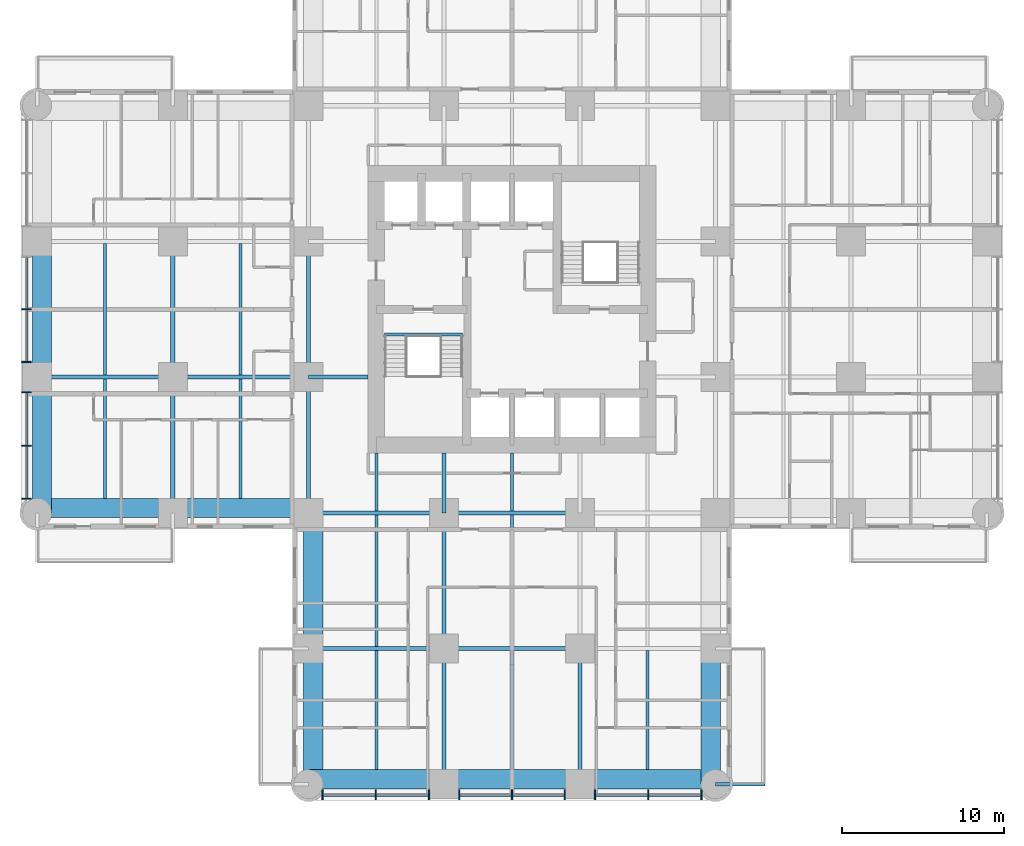
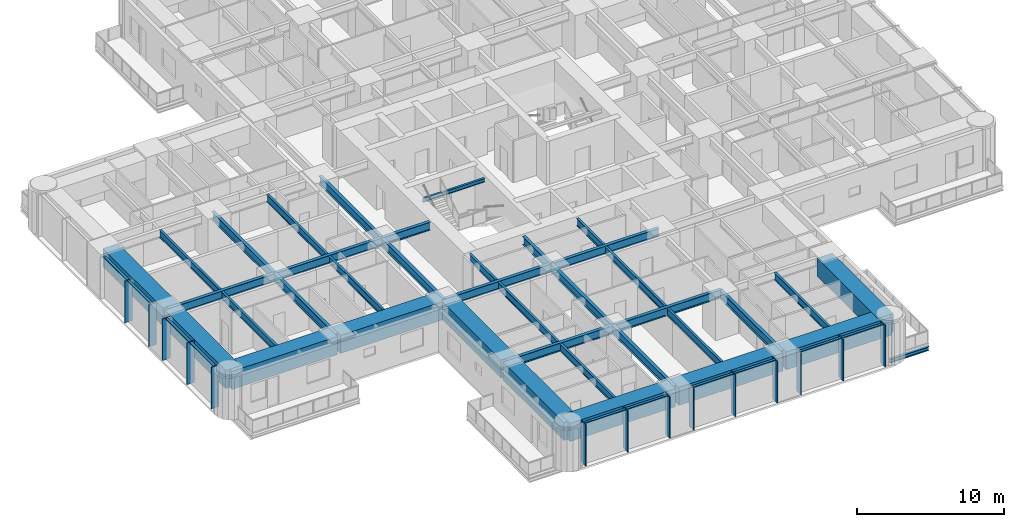
# One storey, part 2 of 17: 38 beams, 24 members, 2 elements without a shape of their own.
"""IFC4 building model written with IfcOpenShell, lengths in metres."""

from ifc_helpers import new_model, si_unit, direction, frame, origin, origin_2d, place, context, subcontext, project, spatial, rectangle, i_section, extrude, material, material_profile, profile_set, type_object, element, aggregate, save


model = new_model("IFC4")

# Units and contexts
model_context = context("Model", 3, precision=1e-05, world=origin(), true_north=direction((0.0, 1.0)))
body_context = subcontext(model_context, "Body", "Model", "MODEL_VIEW")
ifc_project = project(units=[si_unit("LENGTHUNIT", "METRE"), si_unit("AREAUNIT", "SQUARE_METRE"), si_unit("VOLUMEUNIT", "CUBIC_METRE"), si_unit("PLANEANGLEUNIT", "RADIAN"), si_unit("MASSUNIT", "GRAM", prefix="KILO")], contexts=[model_context])

# Site, building, storey
site_placement = place(None, origin())
site = spatial("IfcSite", under=ifc_project, at=site_placement, CompositionType="ELEMENT")
building_placement = place(site_placement, origin())
building = spatial("IfcBuilding", under=site, at=building_placement, Name="Torre Alcanfor", CompositionType="ELEMENT")
storey_placement = place(building_placement, frame((0.0, 0.0, 74.10009765625)))
storey = spatial("IfcBuildingStorey", under=building, at=storey_placement, Name="L18", CompositionType="ELEMENT", Elevation=74.10009765625)

# Beam
ifc_material_1 = material(Name="Steel ASTM A992 Grade 50", Category="steel")
ifc_material_profile_1 = material_profile(ifc_material_1, i_section(OverallWidth=0.205322265625, OverallDepth=0.309814453125, WebThickness=0.00927734375, FlangeThickness=0.016357421875, at=origin_2d()), Name="W12x50")
ifc_profile_set_1 = profile_set([ifc_material_profile_1], Name="Steel ASTM A992 Grade 50")
beam_type_1 = type_object("IfcBeamType", Name="Balcony cantilever beam W12x50", PredefinedType="BEAM", material=ifc_profile_set_1)
beam_1_placement = place(storey_placement, frame((42.0, 0.0, -0.35498046875), z_axis=(1.0, 0.0, 0.0), x_axis=(0.0, 1.0, 0.0)))
element("IfcBeam", 1, at=beam_1_placement, inside=storey, type_object=beam_type_1, Name="Balcony cantilever beam L18-S1 2", PredefinedType="BEAM", context=body_context, shape_type="SweptSolid", body=[
    extrude(i_section(OverallWidth=0.205322265625, OverallDepth=0.309814453125, WebThickness=0.00927734375, FlangeThickness=0.016357421875, at=origin_2d()), origin(), (0.0, 0.0, 1.0), 3.050048828125),
])

# Curtain wall, members
ifc_material_2 = material(Name="Aluminium and glass", Category="aluminium")
curtain_wall_type = type_object("IfcCurtainWallType", Name="CW-A unitised apartment glazing with vertical FIN", PredefinedType="NOTDEFINED", material=ifc_material_2)
curtain_wall_1_placement = place(storey_placement, origin())
curtain_wall_1 = element("IfcCurtainWall", 2, at=curtain_wall_1_placement, inside=storey, type_object=curtain_wall_type, Name="Curtain wall CW-A L18 2", PredefinedType="NOTDEFINED")
ifc_material_3 = material(Name="Bronze anodised aluminium", Category="aluminium")
ifc_material_profile_2 = material_profile(ifc_material_3, rectangle(XDim=0.60009765625, YDim=0.06494140625, at=origin_2d()), Name="CW-A mullion 65x600")
ifc_profile_set_2 = profile_set([ifc_material_profile_2], Name="Bronze anodised aluminium")
member_type_1 = type_object("IfcMemberType", Name="CW-A mullion with vertical FIN 65x600", PredefinedType="MULLION", material=ifc_profile_set_2)
member_1_placement = place(storey_placement, frame((-0.64990234375, 29.39990234375, 0.0), z_axis=(0.0, 0.0, 1.0), x_axis=(1.0, 0.0, 0.0)))
member_1 = element("IfcMember", 3, at=member_1_placement, type_object=member_type_1, Name="CW-A mullion 2.2", PredefinedType="MULLION", context=body_context, shape_type="SweptSolid", body=[
    extrude(rectangle(XDim=0.60009765625, YDim=0.06494140625, at=origin_2d()), origin(), (0.0, 0.0, 1.0), 3.449951171875),
])
member_2_placement = place(storey_placement, frame((-0.64990234375, 26.137451171875, 0.0), z_axis=(0.0, 0.0, 1.0), x_axis=(1.0, 0.0, 0.0)))
member_2 = element("IfcMember", 4, at=member_2_placement, type_object=member_type_1, Name="CW-A mullion 2.3", PredefinedType="MULLION", context=body_context, shape_type="SweptSolid", body=[
    extrude(rectangle(XDim=0.60009765625, YDim=0.06494140625, at=origin_2d()), origin(), (0.0, 0.0, 1.0), 3.449951171875),
])
member_3_placement = place(storey_placement, frame((-0.64990234375, 24.262451171875, 0.0), z_axis=(0.0, 0.0, 1.0), x_axis=(1.0, 0.0, 0.0)))
member_3 = element("IfcMember", 5, at=member_3_placement, type_object=member_type_1, Name="CW-A mullion 3.1", PredefinedType="MULLION", context=body_context, shape_type="SweptSolid", body=[
    extrude(rectangle(XDim=0.60009765625, YDim=0.06494140625, at=origin_2d()), origin(), (0.0, 0.0, 1.0), 3.449951171875),
])
member_4_placement = place(storey_placement, frame((-0.64990234375, 20.96484375, 0.0), z_axis=(0.0, 0.0, 1.0), x_axis=(1.0, 0.0, 0.0)))
member_4 = element("IfcMember", 6, at=member_4_placement, type_object=member_type_1, Name="CW-A mullion 3.2", PredefinedType="MULLION", context=body_context, shape_type="SweptSolid", body=[
    extrude(rectangle(XDim=0.60009765625, YDim=0.06494140625, at=origin_2d()), origin(), (0.0, 0.0, 1.0), 3.449951171875),
])
member_5_placement = place(storey_placement, frame((-0.64990234375, 17.6669921875, 0.0), z_axis=(0.0, 0.0, 1.0), x_axis=(1.0, 0.0, 0.0)))
member_5 = element("IfcMember", 7, at=member_5_placement, type_object=member_type_1, Name="CW-A mullion 3.3", PredefinedType="MULLION", context=body_context, shape_type="SweptSolid", body=[
    extrude(rectangle(XDim=0.60009765625, YDim=0.06494140625, at=origin_2d()), origin(), (0.0, 0.0, 1.0), 3.449951171875),
])

curtain_wall_2_placement = place(storey_placement, origin())
curtain_wall_2 = element("IfcCurtainWall", 8, at=curtain_wall_2_placement, inside=storey, type_object=curtain_wall_type, Name="Curtain wall CW-A L18 5", PredefinedType="NOTDEFINED")
member_6_placement = place(storey_placement, frame((17.6669921875, -0.64990234375, 0.0), z_axis=(0.0, 0.0, 1.0), x_axis=(0.0, 1.0, 0.0)))
member_6 = element("IfcMember", 9, at=member_6_placement, type_object=member_type_1, Name="CW-A mullion 1.1", PredefinedType="MULLION", context=body_context, shape_type="SweptSolid", body=[
    extrude(rectangle(XDim=0.60009765625, YDim=0.06494140625, at=origin_2d()), origin(), (0.0, 0.0, 1.0), 3.449951171875),
])
member_7_placement = place(storey_placement, frame((20.96484375, -0.64990234375, 0.0), z_axis=(0.0, 0.0, 1.0), x_axis=(0.0, 1.0, 0.0)))
member_7 = element("IfcMember", 10, at=member_7_placement, type_object=member_type_1, Name="CW-A mullion 1.2", PredefinedType="MULLION", context=body_context, shape_type="SweptSolid", body=[
    extrude(rectangle(XDim=0.60009765625, YDim=0.06494140625, at=origin_2d()), origin(), (0.0, 0.0, 1.0), 3.449951171875),
])
member_8_placement = place(storey_placement, frame((24.262451171875, -0.64990234375, 0.0), z_axis=(0.0, 0.0, 1.0), x_axis=(0.0, 1.0, 0.0)))
member_8 = element("IfcMember", 11, at=member_8_placement, type_object=member_type_1, Name="CW-A mullion 1.3", PredefinedType="MULLION", context=body_context, shape_type="SweptSolid", body=[
    extrude(rectangle(XDim=0.60009765625, YDim=0.06494140625, at=origin_2d()), origin(), (0.0, 0.0, 1.0), 3.449951171875),
])
member_9_placement = place(storey_placement, frame((26.137451171875, -0.64990234375, 0.0), z_axis=(0.0, 0.0, 1.0), x_axis=(0.0, 1.0, 0.0)))
member_9 = element("IfcMember", 12, at=member_9_placement, type_object=member_type_1, Name="CW-A mullion 2.1", PredefinedType="MULLION", context=body_context, shape_type="SweptSolid", body=[
    extrude(rectangle(XDim=0.60009765625, YDim=0.06494140625, at=origin_2d()), origin(), (0.0, 0.0, 1.0), 3.449951171875),
])
member_10_placement = place(storey_placement, frame((29.39990234375, -0.64990234375, 0.0), z_axis=(0.0, 0.0, 1.0), x_axis=(0.0, 1.0, 0.0)))
member_10 = element("IfcMember", 13, at=member_10_placement, type_object=member_type_1, Name="CW-A mullion 2.2", PredefinedType="MULLION", context=body_context, shape_type="SweptSolid", body=[
    extrude(rectangle(XDim=0.60009765625, YDim=0.06494140625, at=origin_2d()), origin(), (0.0, 0.0, 1.0), 3.449951171875),
])
member_11_placement = place(storey_placement, frame((32.66259765625, -0.64990234375, 0.0), z_axis=(0.0, 0.0, 1.0), x_axis=(0.0, 1.0, 0.0)))
member_11 = element("IfcMember", 14, at=member_11_placement, type_object=member_type_1, Name="CW-A mullion 2.3", PredefinedType="MULLION", context=body_context, shape_type="SweptSolid", body=[
    extrude(rectangle(XDim=0.60009765625, YDim=0.06494140625, at=origin_2d()), origin(), (0.0, 0.0, 1.0), 3.449951171875),
])
member_12_placement = place(storey_placement, frame((34.53759765625, -0.64990234375, 0.0), z_axis=(0.0, 0.0, 1.0), x_axis=(0.0, 1.0, 0.0)))
member_12 = element("IfcMember", 15, at=member_12_placement, type_object=member_type_1, Name="CW-A mullion 3.1", PredefinedType="MULLION", context=body_context, shape_type="SweptSolid", body=[
    extrude(rectangle(XDim=0.60009765625, YDim=0.06494140625, at=origin_2d()), origin(), (0.0, 0.0, 1.0), 3.449951171875),
])
member_13_placement = place(storey_placement, frame((37.835205078125, -0.64990234375, 0.0), z_axis=(0.0, 0.0, 1.0), x_axis=(0.0, 1.0, 0.0)))
member_13 = element("IfcMember", 16, at=member_13_placement, type_object=member_type_1, Name="CW-A mullion 3.2", PredefinedType="MULLION", context=body_context, shape_type="SweptSolid", body=[
    extrude(rectangle(XDim=0.60009765625, YDim=0.06494140625, at=origin_2d()), origin(), (0.0, 0.0, 1.0), 3.449951171875),
])
member_14_placement = place(storey_placement, frame((41.133056640625, -0.64990234375, 0.0), z_axis=(0.0, 0.0, 1.0), x_axis=(0.0, 1.0, 0.0)))
member_14 = element("IfcMember", 17, at=member_14_placement, type_object=member_type_1, Name="CW-A mullion 3.3", PredefinedType="MULLION", context=body_context, shape_type="SweptSolid", body=[
    extrude(rectangle(XDim=0.60009765625, YDim=0.06494140625, at=origin_2d()), origin(), (0.0, 0.0, 1.0), 3.449951171875),
])

# Member
ifc_material_4 = material(Name="Extruded aluminium", Category="aluminium")
ifc_material_profile_3 = material_profile(ifc_material_4, rectangle(XDim=0.199951171875, YDim=0.06494140625, at=origin_2d()), Name="CW-A transom 200x65")
ifc_profile_set_3 = profile_set([ifc_material_profile_3], Name="Extruded aluminium")
member_type_2 = type_object("IfcMemberType", Name="CW-A transom 65x200", PredefinedType="USERDEFINED", material=ifc_profile_set_3)
member_15_placement = place(storey_placement, frame((-0.64990234375, 32.6298828125, 3.41748046875), z_axis=(0.0, -1.0, 0.0), x_axis=(1.0, 0.0, 0.0)))
member_15 = element("IfcMember", 18, at=member_15_placement, type_object=member_type_2, Name="CW-A transom 2.1.2", ObjectType="TRANSOM", PredefinedType="USERDEFINED", context=body_context, shape_type="SweptSolid", body=[
    extrude(rectangle(XDim=0.199951171875, YDim=0.06494140625, at=origin_2d()), origin(), (0.0, 0.0, 1.0), 3.197265625),
])

member_16_placement = place(storey_placement, frame((-0.64990234375, 29.367431640625, 3.41748046875), z_axis=(0.0, -1.0, 0.0), x_axis=(1.0, 0.0, 0.0)))
member_16 = element("IfcMember", 19, at=member_16_placement, type_object=member_type_2, Name="CW-A transom 2.2.2", ObjectType="TRANSOM", PredefinedType="USERDEFINED", context=body_context, shape_type="SweptSolid", body=[
    extrude(rectangle(XDim=0.199951171875, YDim=0.06494140625, at=origin_2d()), origin(), (0.0, 0.0, 1.0), 3.197509765625),
])

member_17_placement = place(storey_placement, frame((-0.64990234375, 24.22998046875, 3.41748046875), z_axis=(0.0, -1.0, 0.0), x_axis=(1.0, 0.0, 0.0)))
member_17 = element("IfcMember", 20, at=member_17_placement, type_object=member_type_2, Name="CW-A transom 3.1.2", ObjectType="TRANSOM", PredefinedType="USERDEFINED", context=body_context, shape_type="SweptSolid", body=[
    extrude(rectangle(XDim=0.199951171875, YDim=0.06494140625, at=origin_2d()), origin(), (0.0, 0.0, 1.0), 3.232666015625),
])

member_18_placement = place(storey_placement, frame((-0.64990234375, 20.93212890625, 3.41748046875), z_axis=(0.0, -1.0, 0.0), x_axis=(1.0, 0.0, 0.0)))
member_18 = element("IfcMember", 21, at=member_18_placement, type_object=member_type_2, Name="CW-A transom 3.2.2", ObjectType="TRANSOM", PredefinedType="USERDEFINED", context=body_context, shape_type="SweptSolid", body=[
    extrude(rectangle(XDim=0.199951171875, YDim=0.06494140625, at=origin_2d()), origin(), (0.0, 0.0, 1.0), 3.232666015625),
])

aggregate(curtain_wall_1, [member_1, member_2, member_15, member_16, member_3, member_4, member_5, member_17, member_18])

member_19_placement = place(storey_placement, frame((17.699462890625, -0.64990234375, 3.41748046875), z_axis=(1.0, 0.0, 0.0), x_axis=(0.0, 1.0, 0.0)))
member_19 = element("IfcMember", 22, at=member_19_placement, type_object=member_type_2, Name="CW-A transom 1.1.2", ObjectType="TRANSOM", PredefinedType="USERDEFINED", context=body_context, shape_type="SweptSolid", body=[
    extrude(rectangle(XDim=0.199951171875, YDim=0.06494140625, at=origin_2d()), origin(), (0.0, 0.0, 1.0), 3.232666015625),
])

member_20_placement = place(storey_placement, frame((20.997314453125, -0.64990234375, 3.41748046875), z_axis=(1.0, 0.0, 0.0), x_axis=(0.0, 1.0, 0.0)))
member_20 = element("IfcMember", 23, at=member_20_placement, type_object=member_type_2, Name="CW-A transom 1.2.2", ObjectType="TRANSOM", PredefinedType="USERDEFINED", context=body_context, shape_type="SweptSolid", body=[
    extrude(rectangle(XDim=0.199951171875, YDim=0.06494140625, at=origin_2d()), origin(), (0.0, 0.0, 1.0), 3.232666015625),
])

member_21_placement = place(storey_placement, frame((26.169921875, -0.64990234375, 3.41748046875), z_axis=(1.0, 0.0, 0.0), x_axis=(0.0, 1.0, 0.0)))
member_21 = element("IfcMember", 24, at=member_21_placement, type_object=member_type_2, Name="CW-A transom 2.1.2", ObjectType="TRANSOM", PredefinedType="USERDEFINED", context=body_context, shape_type="SweptSolid", body=[
    extrude(rectangle(XDim=0.199951171875, YDim=0.06494140625, at=origin_2d()), origin(), (0.0, 0.0, 1.0), 3.197509765625),
])

member_22_placement = place(storey_placement, frame((29.4326171875, -0.64990234375, 3.41748046875), z_axis=(1.0, 0.0, 0.0), x_axis=(0.0, 1.0, 0.0)))
member_22 = element("IfcMember", 25, at=member_22_placement, type_object=member_type_2, Name="CW-A transom 2.2.2", ObjectType="TRANSOM", PredefinedType="USERDEFINED", context=body_context, shape_type="SweptSolid", body=[
    extrude(rectangle(XDim=0.199951171875, YDim=0.06494140625, at=origin_2d()), origin(), (0.0, 0.0, 1.0), 3.197265625),
])

member_23_placement = place(storey_placement, frame((34.570068359375, -0.64990234375, 3.41748046875), z_axis=(1.0, 0.0, 0.0), x_axis=(0.0, 1.0, 0.0)))
member_23 = element("IfcMember", 26, at=member_23_placement, type_object=member_type_2, Name="CW-A transom 3.1.2", ObjectType="TRANSOM", PredefinedType="USERDEFINED", context=body_context, shape_type="SweptSolid", body=[
    extrude(rectangle(XDim=0.199951171875, YDim=0.06494140625, at=origin_2d()), origin(), (0.0, 0.0, 1.0), 3.232666015625),
])

member_24_placement = place(storey_placement, frame((37.86767578125, -0.64990234375, 3.41748046875), z_axis=(1.0, 0.0, 0.0), x_axis=(0.0, 1.0, 0.0)))
member_24 = element("IfcMember", 27, at=member_24_placement, type_object=member_type_2, Name="CW-A transom 3.2.2", ObjectType="TRANSOM", PredefinedType="USERDEFINED", context=body_context, shape_type="SweptSolid", body=[
    extrude(rectangle(XDim=0.199951171875, YDim=0.06494140625, at=origin_2d()), origin(), (0.0, 0.0, 1.0), 3.23291015625),
])

aggregate(curtain_wall_2, [member_6, member_7, member_8, member_19, member_20, member_9, member_10, member_11, member_21, member_22, member_12, member_13, member_14, member_23, member_24])

# Beams
ifc_material_5 = material(Name="Steel ASTM A992 Grade 50", Category="steel")
ifc_material_profile_4 = material_profile(ifc_material_5, i_section(OverallWidth=0.25390625, OverallDepth=0.683349609375, WebThickness=0.012451171875, FlangeThickness=0.01904296875, at=origin_2d()), Name="W27x94")
ifc_profile_set_4 = profile_set([ifc_material_profile_4], Name="Steel ASTM A992 Grade 50")
beam_type_2 = type_object("IfcBeamType", Name="Girder W27x94", PredefinedType="BEAM", material=ifc_profile_set_4)
beam_2_placement = place(storey_placement, frame((16.800048828125, 8.39990234375, 3.108154296875), z_axis=(1.0, 0.0, 0.0), x_axis=(0.0, 1.0, 0.0)))
element("IfcBeam", 28, at=beam_2_placement, inside=storey, type_object=beam_type_2, Name="Beam 3D-4D under L19", PredefinedType="BEAM", context=body_context, shape_type="SweptSolid", body=[
    extrude(i_section(OverallWidth=0.25390625, OverallDepth=0.683349609375, WebThickness=0.012451171875, FlangeThickness=0.01904296875, at=origin_2d()), origin(), (0.0, 0.0, 1.0), 8.39990234375),
])
beam_3_placement = place(storey_placement, frame((25.199951171875, 8.39990234375, 3.108154296875), z_axis=(1.0, 0.0, 0.0), x_axis=(0.0, 1.0, 0.0)))
element("IfcBeam", 29, at=beam_3_placement, inside=storey, type_object=beam_type_2, Name="Beam 4D-5D under L19", PredefinedType="BEAM", context=body_context, shape_type="SweptSolid", body=[
    extrude(i_section(OverallWidth=0.25390625, OverallDepth=0.683349609375, WebThickness=0.012451171875, FlangeThickness=0.01904296875, at=origin_2d()), origin(), (0.0, 0.0, 1.0), 8.400146484375),
])
beam_4_placement = place(storey_placement, frame((16.800048828125, 16.800048828125, 3.108154296875), z_axis=(1.0, 0.0, 0.0), x_axis=(0.0, 1.0, 0.0)))
element("IfcBeam", 30, at=beam_4_placement, inside=storey, type_object=beam_type_2, Name="Beam 3E-4E under L19", PredefinedType="BEAM", context=body_context, shape_type="SweptSolid", body=[
    extrude(i_section(OverallWidth=0.25390625, OverallDepth=0.683349609375, WebThickness=0.012451171875, FlangeThickness=0.01904296875, at=origin_2d()), origin(), (0.0, 0.0, 1.0), 8.39990234375),
])
beam_5_placement = place(storey_placement, frame((25.199951171875, 16.800048828125, 3.108154296875), z_axis=(1.0, 0.0, 0.0), x_axis=(0.0, 1.0, 0.0)))
element("IfcBeam", 31, at=beam_5_placement, inside=storey, type_object=beam_type_2, Name="Beam 4E-5E under L19", PredefinedType="BEAM", context=body_context, shape_type="SweptSolid", body=[
    extrude(i_section(OverallWidth=0.25390625, OverallDepth=0.683349609375, WebThickness=0.012451171875, FlangeThickness=0.01904296875, at=origin_2d()), origin(), (0.0, 0.0, 1.0), 8.400146484375),
])
beam_6_placement = place(storey_placement, frame((0.0, 25.199951171875, 3.108154296875), z_axis=(1.0, 0.0, 0.0), x_axis=(0.0, 1.0, 0.0)))
element("IfcBeam", 32, at=beam_6_placement, inside=storey, type_object=beam_type_2, Name="Beam 1F-2F under L19", PredefinedType="BEAM", context=body_context, shape_type="SweptSolid", body=[
    extrude(i_section(OverallWidth=0.25390625, OverallDepth=0.683349609375, WebThickness=0.012451171875, FlangeThickness=0.01904296875, at=origin_2d()), origin(), (0.0, 0.0, 1.0), 8.39990234375),
])
beam_7_placement = place(storey_placement, frame((8.39990234375, 25.199951171875, 3.108154296875), z_axis=(1.0, 0.0, 0.0), x_axis=(0.0, 1.0, 0.0)))
element("IfcBeam", 33, at=beam_7_placement, inside=storey, type_object=beam_type_2, Name="Beam 2F-3F under L19", PredefinedType="BEAM", context=body_context, shape_type="SweptSolid", body=[
    extrude(i_section(OverallWidth=0.25390625, OverallDepth=0.683349609375, WebThickness=0.012451171875, FlangeThickness=0.01904296875, at=origin_2d()), origin(), (0.0, 0.0, 1.0), 8.400146484375),
])
beam_8_placement = place(storey_placement, frame((8.39990234375, 16.800048828125, 3.108154296875), z_axis=(0.0, 1.0, 0.0), x_axis=(-1.0, 0.0, 0.0)))
element("IfcBeam", 34, at=beam_8_placement, inside=storey, type_object=beam_type_2, Name="Beam 2E-2F under L19", PredefinedType="BEAM", context=body_context, shape_type="SweptSolid", body=[
    extrude(i_section(OverallWidth=0.25390625, OverallDepth=0.683349609375, WebThickness=0.012451171875, FlangeThickness=0.01904296875, at=origin_2d()), origin(), (0.0, 0.0, 1.0), 8.39990234375),
])
beam_9_placement = place(storey_placement, frame((8.39990234375, 25.199951171875, 3.108154296875), z_axis=(0.0, 1.0, 0.0), x_axis=(-1.0, 0.0, 0.0)))
element("IfcBeam", 35, at=beam_9_placement, inside=storey, type_object=beam_type_2, Name="Beam 2F-2G under L19", PredefinedType="BEAM", context=body_context, shape_type="SweptSolid", body=[
    extrude(i_section(OverallWidth=0.25390625, OverallDepth=0.683349609375, WebThickness=0.012451171875, FlangeThickness=0.01904296875, at=origin_2d()), origin(), (0.0, 0.0, 1.0), 8.400146484375),
])
beam_10_placement = place(storey_placement, frame((16.800048828125, 16.800048828125, 3.108154296875), z_axis=(0.0, 1.0, 0.0), x_axis=(-1.0, 0.0, 0.0)))
element("IfcBeam", 36, at=beam_10_placement, inside=storey, type_object=beam_type_2, Name="Beam 3E-3F under L19", PredefinedType="BEAM", context=body_context, shape_type="SweptSolid", body=[
    extrude(i_section(OverallWidth=0.25390625, OverallDepth=0.683349609375, WebThickness=0.012451171875, FlangeThickness=0.01904296875, at=origin_2d()), origin(), (0.0, 0.0, 1.0), 8.39990234375),
])
beam_11_placement = place(storey_placement, frame((16.800048828125, 25.199951171875, 3.108154296875), z_axis=(0.0, 1.0, 0.0), x_axis=(-1.0, 0.0, 0.0)))
element("IfcBeam", 37, at=beam_11_placement, inside=storey, type_object=beam_type_2, Name="Beam 3F-3G under L19", PredefinedType="BEAM", context=body_context, shape_type="SweptSolid", body=[
    extrude(i_section(OverallWidth=0.25390625, OverallDepth=0.683349609375, WebThickness=0.012451171875, FlangeThickness=0.01904296875, at=origin_2d()), origin(), (0.0, 0.0, 1.0), 8.400146484375),
])
beam_12_placement = place(storey_placement, frame((25.199951171875, 0.0, 3.108154296875), z_axis=(0.0, 1.0, 0.0), x_axis=(-1.0, 0.0, 0.0)))
element("IfcBeam", 38, at=beam_12_placement, inside=storey, type_object=beam_type_2, Name="Beam 4C-4D under L19", PredefinedType="BEAM", context=body_context, shape_type="SweptSolid", body=[
    extrude(i_section(OverallWidth=0.25390625, OverallDepth=0.683349609375, WebThickness=0.012451171875, FlangeThickness=0.01904296875, at=origin_2d()), origin(), (0.0, 0.0, 1.0), 8.39990234375),
])
beam_13_placement = place(storey_placement, frame((25.199951171875, 8.39990234375, 3.108154296875), z_axis=(0.0, 1.0, 0.0), x_axis=(-1.0, 0.0, 0.0)))
element("IfcBeam", 39, at=beam_13_placement, inside=storey, type_object=beam_type_2, Name="Beam 4D-4E under L19", PredefinedType="BEAM", context=body_context, shape_type="SweptSolid", body=[
    extrude(i_section(OverallWidth=0.25390625, OverallDepth=0.683349609375, WebThickness=0.012451171875, FlangeThickness=0.01904296875, at=origin_2d()), origin(), (0.0, 0.0, 1.0), 8.400146484375),
])
beam_14_placement = place(storey_placement, frame((33.60009765625, 0.0, 3.108154296875), z_axis=(0.0, 1.0, 0.0), x_axis=(-1.0, 0.0, 0.0)))
element("IfcBeam", 40, at=beam_14_placement, inside=storey, type_object=beam_type_2, Name="Beam 5C-5D under L19", PredefinedType="BEAM", context=body_context, shape_type="SweptSolid", body=[
    extrude(i_section(OverallWidth=0.25390625, OverallDepth=0.683349609375, WebThickness=0.012451171875, FlangeThickness=0.01904296875, at=origin_2d()), origin(), (0.0, 0.0, 1.0), 8.39990234375),
])
ifc_material_6 = material(Name="Steel ASTM A992 Grade 50", Category="steel")
ifc_material_profile_5 = material_profile(ifc_material_6, i_section(OverallWidth=0.25390625, OverallDepth=0.683349609375, WebThickness=0.012451171875, FlangeThickness=0.01904296875, at=origin_2d()), Name="W27x94")
ifc_profile_set_5 = profile_set([ifc_material_profile_5], Name="Steel ASTM A992 Grade 50")
beam_type_3 = type_object("IfcBeamType", Name="Girder, part bay W27x94", PredefinedType="BEAM", material=ifc_profile_set_5)
for number, where, z_axis, x_axis, name in (
    (41, (25.199951171875, 16.800048828125, 3.108154296875), (0.0, 1.0, 0.0), (-1.0, 0.0, 0.0), "Beam 4E-420_5 under L19"),
    (42, (16.800048828125, 25.199951171875, 3.108154296875), (1.0, 0.0, 0.0), (0.0, 1.0, 0.0), "Beam 3F-20_5F under L19"),
):
    element("IfcBeam", number, at=place(storey_placement, frame(where, z_axis=z_axis, x_axis=x_axis)), inside=storey, type_object=beam_type_3, Name=name, PredefinedType="BEAM", context=body_context, shape_type="SweptSolid", body=[
        extrude(i_section(OverallWidth=0.25390625, OverallDepth=0.683349609375, WebThickness=0.012451171875, FlangeThickness=0.01904296875, at=origin_2d()), origin(), (0.0, 0.0, 1.0), 3.699951171875),
    ])
ifc_material_7 = material(Name="Concrete f'c 70 MPa", Category="concrete")
ifc_material_profile_6 = material_profile(ifc_material_7, rectangle(XDim=1.199951171875, YDim=1.5, at=origin_2d()), Name="1200x1500")
ifc_profile_set_6 = profile_set([ifc_material_profile_6], Name="Concrete f'c 70 MPa")
beam_type_4 = type_object("IfcBeamType", Name="RC perimeter beam 1200x1500", PredefinedType="BEAM", material=ifc_profile_set_6)
beam_15_placement = place(storey_placement, frame((16.800048828125, 0.300048828125, 2.699951171875), z_axis=(1.0, 0.0, 0.0), x_axis=(0.0, 1.0, 0.0)))
element("IfcBeam", 43, at=beam_15_placement, inside=storey, type_object=beam_type_4, Name="Beam 3C-4C under L19", PredefinedType="BEAM", context=body_context, shape_type="SweptSolid", body=[
    extrude(rectangle(XDim=1.199951171875, YDim=1.5, at=origin_2d()), origin(), (0.0, 0.0, 1.0), 8.27294921875),
])
beam_16_placement = place(storey_placement, frame((25.326904296875, 0.300048828125, 2.699951171875), z_axis=(1.0, 0.0, 0.0), x_axis=(0.0, 1.0, 0.0)))
element("IfcBeam", 44, at=beam_16_placement, inside=storey, type_object=beam_type_4, Name="Beam 4C-5C under L19", PredefinedType="BEAM", context=body_context, shape_type="SweptSolid", body=[
    extrude(rectangle(XDim=1.199951171875, YDim=1.5, at=origin_2d()), origin(), (0.0, 0.0, 1.0), 8.14599609375),
])
for number, where, z_axis, x_axis, name in (
    (45, (33.72705078125, 0.300048828125, 2.699951171875), (1.0, 0.0, 0.0), (0.0, 1.0, 0.0), "Beam 5C-6C under L19"),
    (46, (0.0, 17.10009765625, 2.699951171875), (1.0, 0.0, 0.0), (0.0, 1.0, 0.0), "Beam 1E-2E under L19"),
):
    element("IfcBeam", number, at=place(storey_placement, frame(where, z_axis=z_axis, x_axis=x_axis)), inside=storey, type_object=beam_type_4, Name=name, PredefinedType="BEAM", context=body_context, shape_type="SweptSolid", body=[
        extrude(rectangle(XDim=1.199951171875, YDim=1.5, at=origin_2d()), origin(), (0.0, 0.0, 1.0), 8.27294921875),
    ])
beam_17_placement = place(storey_placement, frame((8.527099609375, 17.10009765625, 2.699951171875), z_axis=(1.0, 0.0, 0.0), x_axis=(0.0, 1.0, 0.0)))
element("IfcBeam", 47, at=beam_17_placement, inside=storey, type_object=beam_type_4, Name="Beam 2E-3E under L19", PredefinedType="BEAM", context=body_context, shape_type="SweptSolid", body=[
    extrude(rectangle(XDim=1.199951171875, YDim=1.5, at=origin_2d()), origin(), (0.0, 0.0, 1.0), 8.14599609375),
])
beam_18_placement = place(storey_placement, frame((0.300048828125, 16.800048828125, 2.699951171875), z_axis=(0.0, 1.0, 0.0), x_axis=(-1.0, 0.0, 0.0)))
element("IfcBeam", 48, at=beam_18_placement, inside=storey, type_object=beam_type_4, Name="Beam 1E-1F under L19", PredefinedType="BEAM", context=body_context, shape_type="SweptSolid", body=[
    extrude(rectangle(XDim=1.199951171875, YDim=1.5, at=origin_2d()), origin(), (0.0, 0.0, 1.0), 8.27294921875),
])
beam_19_placement = place(storey_placement, frame((0.300048828125, 25.326904296875, 2.699951171875), z_axis=(0.0, 1.0, 0.0), x_axis=(-1.0, 0.0, 0.0)))
element("IfcBeam", 49, at=beam_19_placement, inside=storey, type_object=beam_type_4, Name="Beam 1F-1G under L19", PredefinedType="BEAM", context=body_context, shape_type="SweptSolid", body=[
    extrude(rectangle(XDim=1.199951171875, YDim=1.5, at=origin_2d()), origin(), (0.0, 0.0, 1.0), 8.14599609375),
])
beam_20_placement = place(storey_placement, frame((17.10009765625, 0.0, 2.699951171875), z_axis=(0.0, 1.0, 0.0), x_axis=(-1.0, 0.0, 0.0)))
element("IfcBeam", 50, at=beam_20_placement, inside=storey, type_object=beam_type_4, Name="Beam 3C-3D under L19", PredefinedType="BEAM", context=body_context, shape_type="SweptSolid", body=[
    extrude(rectangle(XDim=1.199951171875, YDim=1.5, at=origin_2d()), origin(), (0.0, 0.0, 1.0), 8.27294921875),
])
beam_21_placement = place(storey_placement, frame((17.10009765625, 8.527099609375, 2.699951171875), z_axis=(0.0, 1.0, 0.0), x_axis=(-1.0, 0.0, 0.0)))
element("IfcBeam", 51, at=beam_21_placement, inside=storey, type_object=beam_type_4, Name="Beam 3D-3E under L19", PredefinedType="BEAM", context=body_context, shape_type="SweptSolid", body=[
    extrude(rectangle(XDim=1.199951171875, YDim=1.5, at=origin_2d()), origin(), (0.0, 0.0, 1.0), 8.14599609375),
])
beam_22_placement = place(storey_placement, frame((41.699951171875, 0.0, 2.699951171875), z_axis=(0.0, 1.0, 0.0), x_axis=(-1.0, 0.0, 0.0)))
element("IfcBeam", 52, at=beam_22_placement, inside=storey, type_object=beam_type_4, Name="Beam 6C-6D under L19", PredefinedType="BEAM", context=body_context, shape_type="SweptSolid", body=[
    extrude(rectangle(XDim=1.199951171875, YDim=1.5, at=origin_2d()), origin(), (0.0, 0.0, 1.0), 8.27294921875),
])
ifc_material_8 = material(Name="Steel ASTM A992 Grade 50", Category="steel")
ifc_material_profile_7 = material_profile(ifc_material_8, i_section(OverallWidth=0.1787109375, OverallDepth=0.60205078125, WebThickness=0.010986328125, FlangeThickness=0.014892578125, at=origin_2d()), Name="W24x62")
ifc_profile_set_7 = profile_set([ifc_material_profile_7], Name="Steel ASTM A992 Grade 50")
beam_type_5 = type_object("IfcBeamType", Name="Secondary beam W24x62", PredefinedType="BEAM", material=ifc_profile_set_7)
beam_23_placement = place(storey_placement, frame((4.199951171875, 17.699951171875, 3.14892578125), z_axis=(0.0, 1.0, 0.0), x_axis=(-1.0, 0.0, 0.0)))
element("IfcBeam", 53, at=beam_23_placement, inside=storey, type_object=beam_type_5, Name="Beam 4_2E-4_2F under L19", PredefinedType="BEAM", context=body_context, shape_type="SweptSolid", body=[
    extrude(i_section(OverallWidth=0.1787109375, OverallDepth=0.60205078125, WebThickness=0.010986328125, FlangeThickness=0.014892578125, at=origin_2d()), origin(), (0.0, 0.0, 1.0), 7.373046875),
])
beam_24_placement = place(storey_placement, frame((4.199951171875, 25.326904296875, 3.14892578125), z_axis=(0.0, 1.0, 0.0), x_axis=(-1.0, 0.0, 0.0)))
element("IfcBeam", 54, at=beam_24_placement, inside=storey, type_object=beam_type_5, Name="Beam 4_2F-4_2G under L19", PredefinedType="BEAM", context=body_context, shape_type="SweptSolid", body=[
    extrude(i_section(OverallWidth=0.1787109375, OverallDepth=0.60205078125, WebThickness=0.010986328125, FlangeThickness=0.014892578125, at=origin_2d()), origin(), (0.0, 0.0, 1.0), 8.14599609375),
])
beam_25_placement = place(storey_placement, frame((12.60009765625, 17.699951171875, 3.14892578125), z_axis=(0.0, 1.0, 0.0), x_axis=(-1.0, 0.0, 0.0)))
element("IfcBeam", 55, at=beam_25_placement, inside=storey, type_object=beam_type_5, Name="Beam 12_6E-12_6F under L19", PredefinedType="BEAM", context=body_context, shape_type="SweptSolid", body=[
    extrude(i_section(OverallWidth=0.1787109375, OverallDepth=0.60205078125, WebThickness=0.010986328125, FlangeThickness=0.014892578125, at=origin_2d()), origin(), (0.0, 0.0, 1.0), 7.373046875),
])
beam_26_placement = place(storey_placement, frame((12.60009765625, 25.326904296875, 3.14892578125), z_axis=(0.0, 1.0, 0.0), x_axis=(-1.0, 0.0, 0.0)))
element("IfcBeam", 56, at=beam_26_placement, inside=storey, type_object=beam_type_5, Name="Beam 12_6F-12_6G under L19", PredefinedType="BEAM", context=body_context, shape_type="SweptSolid", body=[
    extrude(i_section(OverallWidth=0.1787109375, OverallDepth=0.60205078125, WebThickness=0.010986328125, FlangeThickness=0.014892578125, at=origin_2d()), origin(), (0.0, 0.0, 1.0), 8.14599609375),
])
beam_27_placement = place(storey_placement, frame((21.0, 0.89990234375, 3.14892578125), z_axis=(0.0, 1.0, 0.0), x_axis=(-1.0, 0.0, 0.0)))
element("IfcBeam", 57, at=beam_27_placement, inside=storey, type_object=beam_type_5, Name="Beam 21C-21D under L19", PredefinedType="BEAM", context=body_context, shape_type="SweptSolid", body=[
    extrude(i_section(OverallWidth=0.1787109375, OverallDepth=0.60205078125, WebThickness=0.010986328125, FlangeThickness=0.014892578125, at=origin_2d()), origin(), (0.0, 0.0, 1.0), 7.373046875),
])
beam_28_placement = place(storey_placement, frame((21.0, 8.527099609375, 3.14892578125), z_axis=(0.0, 1.0, 0.0), x_axis=(-1.0, 0.0, 0.0)))
element("IfcBeam", 58, at=beam_28_placement, inside=storey, type_object=beam_type_5, Name="Beam 21D-21E under L19", PredefinedType="BEAM", context=body_context, shape_type="SweptSolid", body=[
    extrude(i_section(OverallWidth=0.1787109375, OverallDepth=0.60205078125, WebThickness=0.010986328125, FlangeThickness=0.014892578125, at=origin_2d()), origin(), (0.0, 0.0, 1.0), 8.14599609375),
])
beam_29_placement = place(storey_placement, frame((29.39990234375, 0.89990234375, 3.14892578125), z_axis=(0.0, 1.0, 0.0), x_axis=(-1.0, 0.0, 0.0)))
element("IfcBeam", 59, at=beam_29_placement, inside=storey, type_object=beam_type_5, Name="Beam 29_4C-29_4D under L19", PredefinedType="BEAM", context=body_context, shape_type="SweptSolid", body=[
    extrude(i_section(OverallWidth=0.1787109375, OverallDepth=0.60205078125, WebThickness=0.010986328125, FlangeThickness=0.014892578125, at=origin_2d()), origin(), (0.0, 0.0, 1.0), 7.373046875),
])
beam_30_placement = place(storey_placement, frame((29.39990234375, 8.527099609375, 3.14892578125), z_axis=(0.0, 1.0, 0.0), x_axis=(-1.0, 0.0, 0.0)))
element("IfcBeam", 60, at=beam_30_placement, inside=storey, type_object=beam_type_5, Name="Beam 29_4D-29_4E under L19", PredefinedType="BEAM", context=body_context, shape_type="SweptSolid", body=[
    extrude(i_section(OverallWidth=0.1787109375, OverallDepth=0.60205078125, WebThickness=0.010986328125, FlangeThickness=0.014892578125, at=origin_2d()), origin(), (0.0, 0.0, 1.0), 8.14599609375),
])
beam_31_placement = place(storey_placement, frame((37.800048828125, 0.89990234375, 3.14892578125), z_axis=(0.0, 1.0, 0.0), x_axis=(-1.0, 0.0, 0.0)))
element("IfcBeam", 61, at=beam_31_placement, inside=storey, type_object=beam_type_5, Name="Beam 37_8C-37_8D under L19", PredefinedType="BEAM", context=body_context, shape_type="SweptSolid", body=[
    extrude(i_section(OverallWidth=0.1787109375, OverallDepth=0.60205078125, WebThickness=0.010986328125, FlangeThickness=0.014892578125, at=origin_2d()), origin(), (0.0, 0.0, 1.0), 7.373046875),
])
ifc_material_9 = material(Name="Steel ASTM A992 Grade 50", Category="steel")
ifc_material_profile_8 = material_profile(ifc_material_9, i_section(OverallWidth=0.1787109375, OverallDepth=0.60205078125, WebThickness=0.010986328125, FlangeThickness=0.014892578125, at=origin_2d()), Name="W24x62")
ifc_profile_set_8 = profile_set([ifc_material_profile_8], Name="Steel ASTM A992 Grade 50")
beam_type_6 = type_object("IfcBeamType", Name="Secondary beam, part bay W24x62", PredefinedType="BEAM", material=ifc_profile_set_8)
for number, where, z_axis, x_axis, name in (
    (62, (21.0, 16.927001953125, 3.14892578125), (0.0, 1.0, 0.0), (-1.0, 0.0, 0.0), "Beam 21E-2120_5 under L19"),
    (63, (29.39990234375, 16.927001953125, 3.14892578125), (0.0, 1.0, 0.0), (-1.0, 0.0, 0.0), "Beam 29_4E-29_420_5 under L19"),
):
    element("IfcBeam", number, at=place(storey_placement, frame(where, z_axis=z_axis, x_axis=x_axis)), inside=storey, type_object=beam_type_6, Name=name, PredefinedType="BEAM", context=body_context, shape_type="SweptSolid", body=[
        extrude(i_section(OverallWidth=0.1787109375, OverallDepth=0.60205078125, WebThickness=0.010986328125, FlangeThickness=0.014892578125, at=origin_2d()), origin(), (0.0, 0.0, 1.0), 3.572998046875),
    ])
ifc_material_10 = material(Name="Steel ASTM A992 Grade 50", Category="steel")
ifc_material_profile_9 = material_profile(ifc_material_10, i_section(OverallWidth=0.164794921875, OverallDepth=0.309814453125, WebThickness=0.005859375, FlangeThickness=0.009765625, at=origin_2d()), Name="W12x26")
ifc_profile_set_9 = profile_set([ifc_material_profile_9], Name="Steel ASTM A992 Grade 50")
beam_type_7 = type_object("IfcBeamType", Name="Stair landing beam W12x26", PredefinedType="BEAM", material=ifc_profile_set_9)
beam_32_placement = place(storey_placement, frame((21.5, 27.83740234375, 3.244873046875), z_axis=(1.0, 0.0, 0.0), x_axis=(0.0, 1.0, 0.0)))
element("IfcBeam", 64, at=beam_32_placement, inside=storey, type_object=beam_type_7, Name="Landing trimmer S1 L19", PredefinedType="BEAM", context=body_context, shape_type="SweptSolid", body=[
    extrude(i_section(OverallWidth=0.164794921875, OverallDepth=0.309814453125, WebThickness=0.005859375, FlangeThickness=0.009765625, at=origin_2d()), origin(), (0.0, 0.0, 1.0), 4.85009765625),
])

save(model, "model.ifc")
